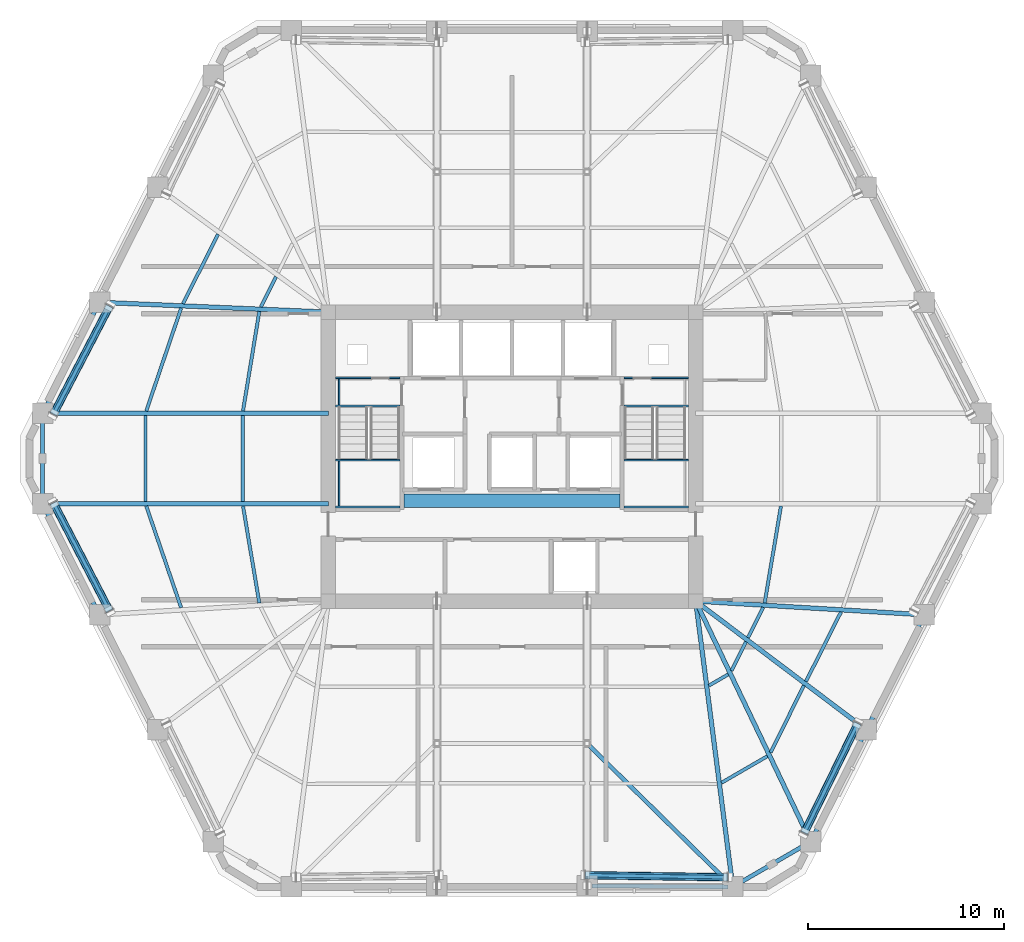
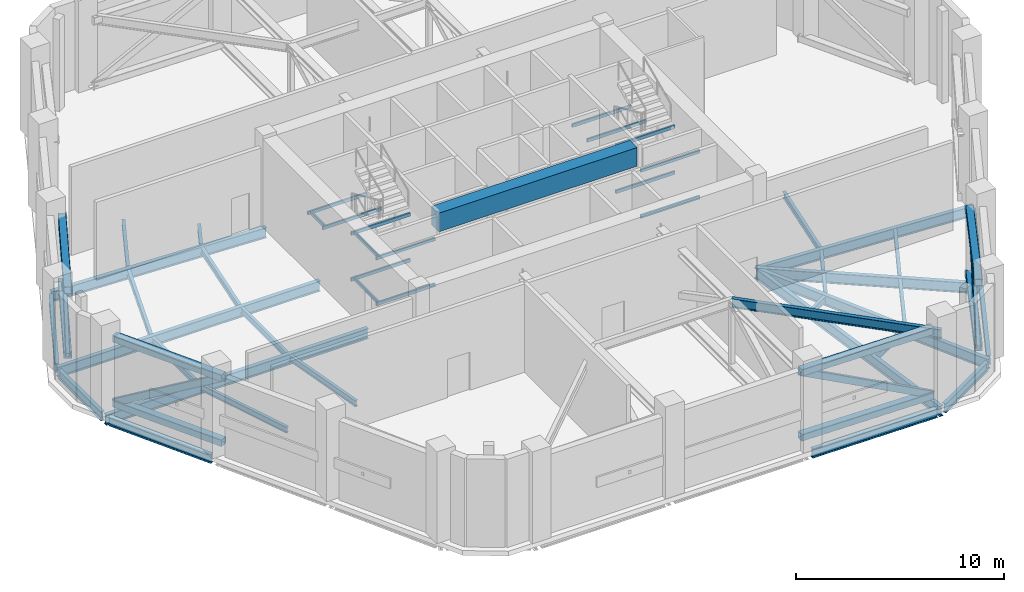
# One storey, part 3 of 15: 46 beams, 12 members.
"""IFC4 building model written with IfcOpenShell, lengths in metres."""

from ifc_helpers import new_model, si_unit, direction, frame, origin, origin_2d, place, context, subcontext, project, spatial, rectangle, hollow_rectangle, i_section, extrude, material, material_profile, profile_set, type_object, element, save


model = new_model("IFC4")

# Units and contexts
model_context = context("Model", 3, precision=1e-05, world=origin(), true_north=direction((0.0, 1.0)))
body_context = subcontext(model_context, "Body", "Model", "MODEL_VIEW")
ifc_project = project(units=[si_unit("LENGTHUNIT", "METRE"), si_unit("AREAUNIT", "SQUARE_METRE"), si_unit("VOLUMEUNIT", "CUBIC_METRE"), si_unit("PLANEANGLEUNIT", "RADIAN"), si_unit("MASSUNIT", "GRAM", prefix="KILO")], contexts=[model_context])

# Site, building, storey
site_placement = place(None, origin())
site = spatial("IfcSite", under=ifc_project, at=site_placement, CompositionType="ELEMENT")
building_placement = place(site_placement, origin())
building = spatial("IfcBuilding", under=site, at=building_placement, Name="Cinnabar Lancet Tower", CompositionType="ELEMENT")
storey_placement = place(building_placement, frame((0.0, 0.0, 148.10009765625)))
storey = spatial("IfcBuildingStorey", under=building, at=storey_placement, Name="L39", CompositionType="ELEMENT", Elevation=148.10009765625)

# Beams
ifc_material_1 = material(Name="Concrete C70/85", Category="concrete")
ifc_material_profile_1 = material_profile(ifc_material_1, rectangle(XDim=0.699951171875, YDim=1.10009765625, at=origin_2d()), Name="RC-CB 700x1100")
ifc_profile_set_1 = profile_set([ifc_material_profile_1], Name="Concrete C70/85")
beam_type_1 = type_object("IfcBeamType", Name="STR-BM-CB-1100", PredefinedType="BEAM", material=ifc_profile_set_1)
beam_1_placement = place(storey_placement, frame((26.8798828125, 23.64990234375, 4.639892578125), z_axis=(1.0, 0.0, 0.0), x_axis=(0.0, 1.0, 0.0)))
element("IfcBeam", 1, at=beam_1_placement, inside=storey, type_object=beam_type_1, Name="L39 Core Coupling Beam", PredefinedType="BEAM", context=body_context, shape_type="SweptSolid", body=[
    extrude(rectangle(XDim=0.699951171875, YDim=1.10009765625, at=origin_2d()), origin(), (0.0, 0.0, 1.0), 11.0400390625),
])
ifc_material_2 = material(Name="Structural steel S355", Category="steel")
ifc_material_profile_2 = material_profile(ifc_material_2, i_section(OverallWidth=0.17138671875, OverallDepth=0.35498046875, WebThickness=0.00732421875, FlangeThickness=0.011474609375, FilletRadius=0.01025390625, at=origin_2d()), Name="UKB 356x171x51")
ifc_profile_set_2 = profile_set([ifc_material_profile_2], Name="Structural steel S355")
beam_type_2 = type_object("IfcBeamType", Name="STR-BM-JST-356", PredefinedType="JOIST", material=ifc_profile_set_2)
beam_2_placement = place(storey_placement, frame((13.73193359375, 23.376953125, -0.4580078125), z_axis=(0.324639458548, -0.945837841257, 0.0), x_axis=(0.945837841257, 0.324639458548, 0.0)))
element("IfcBeam", 2, at=beam_2_placement, inside=storey, type_object=beam_type_2, Name="L39 Secondary Floor Joist 1", PredefinedType="JOIST", context=body_context, shape_type="SweptSolid", body=[
    extrude(i_section(OverallWidth=0.17138671875, OverallDepth=0.35498046875, WebThickness=0.00732421875, FlangeThickness=0.011474609375, FilletRadius=0.01025390625, at=origin_2d()), origin(), (0.0, 0.0, 1.0), 5.486083984375),
])
beam_3_placement = place(storey_placement, frame((18.669921875, 23.376953125, -0.4580078125), z_axis=(0.165984412241, -0.986128376477, 0.0), x_axis=(0.986128376477, 0.165984412241, 0.0)))
element("IfcBeam", 3, at=beam_3_placement, inside=storey, type_object=beam_type_2, Name="L39 Secondary Floor Joist 2", PredefinedType="JOIST", context=body_context, shape_type="SweptSolid", body=[
    extrude(i_section(OverallWidth=0.17138671875, OverallDepth=0.35498046875, WebThickness=0.00732421875, FlangeThickness=0.011474609375, FilletRadius=0.01025390625, at=origin_2d()), origin(), (0.0, 0.0, 1.0), 5.0185546875),
])
beam_4_placement = place(storey_placement, frame((43.093994140625, 9.251953125, -0.4580078125), z_axis=(0.865172906898, 0.501473669469, 0.0), x_axis=(-0.501473669469, 0.865172906898, 0.0)))
element("IfcBeam", 4, at=beam_4_placement, inside=storey, type_object=beam_type_2, Name="L39 Secondary Floor Joist 15", PredefinedType="JOIST", context=body_context, shape_type="SweptSolid", body=[
    extrude(i_section(OverallWidth=0.17138671875, OverallDepth=0.35498046875, WebThickness=0.00732421875, FlangeThickness=0.011474609375, FilletRadius=0.01025390625, at=origin_2d()), origin(), (0.0, 0.0, 1.0), 2.705810546875),
])
beam_5_placement = place(storey_placement, frame((42.449951171875, 14.2109375, -0.4580078125), z_axis=(0.865055308165, 0.501676503154, 0.0), x_axis=(-0.501676503154, 0.865055308165, 0.0)))
element("IfcBeam", 5, at=beam_5_placement, inside=storey, type_object=beam_type_2, Name="L39 Secondary Floor Joist 16", PredefinedType="JOIST", context=body_context, shape_type="SweptSolid", body=[
    extrude(i_section(OverallWidth=0.17138671875, OverallDepth=0.35498046875, WebThickness=0.00732421875, FlangeThickness=0.011474609375, FilletRadius=0.01025390625, at=origin_2d()), origin(), (0.0, 0.0, 1.0), 1.14208984375),
])
beam_6_placement = place(storey_placement, frame((45.59912109375, 10.7958984375, -0.4580078125), z_axis=(0.445295120803, 0.895383859241, 0.0), x_axis=(-0.895383859241, 0.445295120803, 0.0)))
element("IfcBeam", 6, at=beam_6_placement, inside=storey, type_object=beam_type_2, Name="L39 Secondary Floor Joist 17", PredefinedType="JOIST", context=body_context, shape_type="SweptSolid", body=[
    extrude(i_section(OverallWidth=0.17138671875, OverallDepth=0.35498046875, WebThickness=0.00732421875, FlangeThickness=0.011474609375, FilletRadius=0.01025390625, at=origin_2d()), origin(), (0.0, 0.0, 1.0), 3.81982421875),
])
beam_7_placement = place(storey_placement, frame((43.60205078125, 14.970947265625, -0.4580078125), z_axis=(0.44543923568, 0.895312173109, 0.0), x_axis=(-0.895312173109, 0.44543923568, 0.0)))
element("IfcBeam", 7, at=beam_7_placement, inside=storey, type_object=beam_type_2, Name="L39 Secondary Floor Joist 18", PredefinedType="JOIST", context=body_context, shape_type="SweptSolid", body=[
    extrude(i_section(OverallWidth=0.17138671875, OverallDepth=0.35498046875, WebThickness=0.00732421875, FlangeThickness=0.011474609375, FilletRadius=0.01025390625, at=origin_2d()), origin(), (0.0, 0.0, 1.0), 1.65185546875),
])
beam_8_placement = place(storey_placement, frame((47.404052734375, 14.424072265625, -0.4580078125), z_axis=(0.450706028652, 0.892672434736, 0.0), x_axis=(-0.892672434736, 0.450706028652, 0.0)))
element("IfcBeam", 8, at=beam_8_placement, inside=storey, type_object=beam_type_2, Name="L39 Secondary Floor Joist 19", PredefinedType="JOIST", context=body_context, shape_type="SweptSolid", body=[
    extrude(i_section(OverallWidth=0.17138671875, OverallDepth=0.35498046875, WebThickness=0.00732421875, FlangeThickness=0.011474609375, FilletRadius=0.01025390625, at=origin_2d()), origin(), (0.0, 0.0, 1.0), 3.966796875),
])
beam_9_placement = place(storey_placement, frame((44.44091796875, 16.657958984375, -0.4580078125), z_axis=(0.450874341268, 0.892587434589, 0.0), x_axis=(-0.892587434589, 0.450874341268, 0.0)))
element("IfcBeam", 9, at=beam_9_placement, inside=storey, type_object=beam_type_2, Name="L39 Secondary Floor Joist 20", PredefinedType="JOIST", context=body_context, shape_type="SweptSolid", body=[
    extrude(i_section(OverallWidth=0.17138671875, OverallDepth=0.35498046875, WebThickness=0.00732421875, FlangeThickness=0.011474609375, FilletRadius=0.01025390625, at=origin_2d()), origin(), (0.0, 0.0, 1.0), 1.732177734375),
])
beam_10_placement = place(storey_placement, frame((45.297119140625, 18.427978515625, -0.4580078125), z_axis=(0.165937104691, 0.986136338082, 0.0), x_axis=(-0.986136338082, 0.165937104691, 0.0)))
element("IfcBeam", 10, at=beam_10_placement, inside=storey, type_object=beam_type_2, Name="L39 Secondary Floor Joist 22", PredefinedType="JOIST", context=body_context, shape_type="SweptSolid", body=[
    extrude(i_section(OverallWidth=0.17138671875, OverallDepth=0.35498046875, WebThickness=0.00732421875, FlangeThickness=0.011474609375, FilletRadius=0.01025390625, at=origin_2d()), origin(), (0.0, 0.0, 1.0), 5.0185546875),
])
beam_11_placement = place(storey_placement, frame((17.39599609375, 37.2490234375, -0.4580078125), z_axis=(-0.450656035687, -0.892697674187, 0.0), x_axis=(0.892697674187, -0.450656035687, 0.0)))
element("IfcBeam", 11, at=beam_11_placement, inside=storey, type_object=beam_type_2, Name="L39 Secondary Floor Joist 43", PredefinedType="JOIST", context=body_context, shape_type="SweptSolid", body=[
    extrude(i_section(OverallWidth=0.17138671875, OverallDepth=0.35498046875, WebThickness=0.00732421875, FlangeThickness=0.011474609375, FilletRadius=0.01025390625, at=origin_2d()), origin(), (0.0, 0.0, 1.0), 3.9677734375),
])
beam_12_placement = place(storey_placement, frame((20.35888671875, 35.0830078125, -0.4580078125), z_axis=(-0.450931068976, -0.892558777354, 0.0), x_axis=(0.892558777354, -0.450931068976, 0.0)))
element("IfcBeam", 12, at=beam_12_placement, inside=storey, type_object=beam_type_2, Name="L39 Secondary Floor Joist 44", PredefinedType="JOIST", context=body_context, shape_type="SweptSolid", body=[
    extrude(i_section(OverallWidth=0.17138671875, OverallDepth=0.35498046875, WebThickness=0.00732421875, FlangeThickness=0.011474609375, FilletRadius=0.01025390625, at=origin_2d()), origin(), (0.0, 0.0, 1.0), 1.73193359375),
])
beam_13_placement = place(storey_placement, frame((15.513916015625, 33.48291015625, -0.4580078125), z_axis=(-0.321023911172, -0.947071089442, 0.0), x_axis=(0.947071089442, -0.321023911172, 0.0)))
element("IfcBeam", 13, at=beam_13_placement, inside=storey, type_object=beam_type_2, Name="L39 Secondary Floor Joist 45", PredefinedType="JOIST", context=body_context, shape_type="SweptSolid", body=[
    extrude(i_section(OverallWidth=0.17138671875, OverallDepth=0.35498046875, WebThickness=0.00732421875, FlangeThickness=0.011474609375, FilletRadius=0.01025390625, at=origin_2d()), origin(), (0.0, 0.0, 1.0), 5.553955078125),
])
beam_14_placement = place(storey_placement, frame((19.5029296875, 33.31201171875, -0.4580078125), z_axis=(-0.161719098977, -0.986836832017, 0.0), x_axis=(0.986836832017, -0.161719098977, 0.0)))
element("IfcBeam", 14, at=beam_14_placement, inside=storey, type_object=beam_type_2, Name="L39 Secondary Floor Joist 46", PredefinedType="JOIST", context=body_context, shape_type="SweptSolid", body=[
    extrude(i_section(OverallWidth=0.17138671875, OverallDepth=0.35498046875, WebThickness=0.00732421875, FlangeThickness=0.011474609375, FilletRadius=0.01025390625, at=origin_2d()), origin(), (0.0, 0.0, 1.0), 5.156982421875),
])
for number, where, z_axis, x_axis, name in (
    (15, (13.693115234375, 27.9951171875, -0.4580078125), (0.0, -1.0, 0.0), (1.0, 0.0, 0.0), "L39 Secondary Floor Joist 47"),
    (16, (18.64990234375, 27.9951171875, -0.4580078125), (0.0, -1.0, 0.0), (1.0, 0.0, 0.0), "L39 Secondary Floor Joist 48"),
):
    element("IfcBeam", number, at=place(storey_placement, frame(where, z_axis=z_axis, x_axis=x_axis)), inside=storey, type_object=beam_type_2, Name=name, PredefinedType="JOIST", context=body_context, shape_type="SweptSolid", body=[
        extrude(i_section(OverallWidth=0.17138671875, OverallDepth=0.35498046875, WebThickness=0.00732421875, FlangeThickness=0.011474609375, FilletRadius=0.01025390625, at=origin_2d()), origin(), (0.0, 0.0, 1.0), 4.39013671875),
    ])
ifc_material_3 = material(Name="Structural steel S355", Category="steel")
ifc_material_profile_3 = material_profile(ifc_material_3, hollow_rectangle(XDim=0.10009765625, YDim=0.199951171875, WallThickness=0.008056640625, InnerFilletRadius=0.00390625, OuterFilletRadius=0.011962890625, at=origin_2d()), Name="RHS 200x100x8")
ifc_profile_set_3 = profile_set([ifc_material_profile_3], Name="Structural steel S355")
beam_type_3 = type_object("IfcBeamType", Name="STR-BM-LND-203", PredefinedType="BEAM", material=ifc_profile_set_3)
for number, where, z_axis, x_axis, name in (
    (17, (23.39990234375, 23.330078125, 1.0498046875), (1.0, 0.0, 0.0), (0.0, 1.0, 0.0), "L39 ST-1-L39 Landing Support Beam S"),
    (18, (23.39990234375, 25.719970703125, 1.0498046875), (1.0, 0.0, 0.0), (0.0, 1.0, 0.0), "L39 ST-1-L39 Landing Support Beam N"),
):
    element("IfcBeam", number, at=place(storey_placement, frame(where, z_axis=z_axis, x_axis=x_axis)), inside=storey, type_object=beam_type_3, Name=name, PredefinedType="BEAM", context=body_context, shape_type="SweptSolid", body=[
        extrude(hollow_rectangle(XDim=0.10009765625, YDim=0.199951171875, WallThickness=0.008056640625, InnerFilletRadius=0.00390625, OuterFilletRadius=0.011962890625, at=origin_2d()), origin(), (0.0, 0.0, 1.0), 3.280029296875),
    ])
beam_15_placement = place(storey_placement, frame((23.580078125, 23.3798828125, 1.0498046875), z_axis=(0.0, 1.0, 0.0), x_axis=(-1.0, 0.0, 0.0)))
element("IfcBeam", 19, at=beam_15_placement, inside=storey, type_object=beam_type_3, Name="L39 ST-1-L39 Landing Side Trimmer Beam", PredefinedType="BEAM", context=body_context, shape_type="SweptSolid", body=[
    extrude(hollow_rectangle(XDim=0.10009765625, YDim=0.199951171875, WallThickness=0.008056640625, InnerFilletRadius=0.00390625, OuterFilletRadius=0.011962890625, at=origin_2d()), origin(), (0.0, 0.0, 1.0), 2.2900390625),
])
for number, where, z_axis, x_axis, name in (
    (20, (23.39990234375, 28.47998046875, 2.39990234375), (1.0, 0.0, 0.0), (0.0, 1.0, 0.0), "L39 ST-1-L39 Landing Support Beam S"),
    (21, (23.39990234375, 29.919921875, 2.39990234375), (1.0, 0.0, 0.0), (0.0, 1.0, 0.0), "L39 ST-1-L39 Landing Support Beam N"),
):
    element("IfcBeam", number, at=place(storey_placement, frame(where, z_axis=z_axis, x_axis=x_axis)), inside=storey, type_object=beam_type_3, Name=name, PredefinedType="BEAM", context=body_context, shape_type="SweptSolid", body=[
        extrude(hollow_rectangle(XDim=0.10009765625, YDim=0.199951171875, WallThickness=0.008056640625, InnerFilletRadius=0.00390625, OuterFilletRadius=0.011962890625, at=origin_2d()), origin(), (0.0, 0.0, 1.0), 3.280029296875),
    ])
beam_16_placement = place(storey_placement, frame((23.580078125, 28.530029296875, 2.39990234375), z_axis=(0.0, 1.0, 0.0), x_axis=(-1.0, 0.0, 0.0)))
element("IfcBeam", 22, at=beam_16_placement, inside=storey, type_object=beam_type_3, Name="L39 ST-1-L39 Landing Side Trimmer Beam", PredefinedType="BEAM", context=body_context, shape_type="SweptSolid", body=[
    extrude(hollow_rectangle(XDim=0.10009765625, YDim=0.199951171875, WallThickness=0.008056640625, InnerFilletRadius=0.00390625, OuterFilletRadius=0.011962890625, at=origin_2d()), origin(), (0.0, 0.0, 1.0), 1.340087890625),
])
for number, where, z_axis, x_axis, name in (
    (23, (23.39990234375, 23.330078125, 3.75), (1.0, 0.0, 0.0), (0.0, 1.0, 0.0), "L39 ST-1-L39 Landing Support Beam S"),
    (24, (23.39990234375, 25.719970703125, 3.75), (1.0, 0.0, 0.0), (0.0, 1.0, 0.0), "L39 ST-1-L39 Landing Support Beam N"),
):
    element("IfcBeam", number, at=place(storey_placement, frame(where, z_axis=z_axis, x_axis=x_axis)), inside=storey, type_object=beam_type_3, Name=name, PredefinedType="BEAM", context=body_context, shape_type="SweptSolid", body=[
        extrude(hollow_rectangle(XDim=0.10009765625, YDim=0.199951171875, WallThickness=0.008056640625, InnerFilletRadius=0.00390625, OuterFilletRadius=0.011962890625, at=origin_2d()), origin(), (0.0, 0.0, 1.0), 3.280029296875),
    ])
beam_17_placement = place(storey_placement, frame((23.580078125, 23.3798828125, 3.75), z_axis=(0.0, 1.0, 0.0), x_axis=(-1.0, 0.0, 0.0)))
element("IfcBeam", 25, at=beam_17_placement, inside=storey, type_object=beam_type_3, Name="L39 ST-1-L39 Landing Side Trimmer Beam", PredefinedType="BEAM", context=body_context, shape_type="SweptSolid", body=[
    extrude(hollow_rectangle(XDim=0.10009765625, YDim=0.199951171875, WallThickness=0.008056640625, InnerFilletRadius=0.00390625, OuterFilletRadius=0.011962890625, at=origin_2d()), origin(), (0.0, 0.0, 1.0), 2.2900390625),
])
for number, where, z_axis, x_axis, name in (
    (26, (38.1201171875, 23.330078125, 1.0498046875), (1.0, 0.0, 0.0), (0.0, 1.0, 0.0), "L39 ST-2-L39 Landing Support Beam S"),
    (27, (38.1201171875, 25.719970703125, 1.0498046875), (1.0, 0.0, 0.0), (0.0, 1.0, 0.0), "L39 ST-2-L39 Landing Support Beam N"),
    (28, (38.1201171875, 28.47998046875, 2.39990234375), (1.0, 0.0, 0.0), (0.0, 1.0, 0.0), "L39 ST-2-L39 Landing Support Beam S"),
    (29, (38.1201171875, 29.919921875, 2.39990234375), (1.0, 0.0, 0.0), (0.0, 1.0, 0.0), "L39 ST-2-L39 Landing Support Beam N"),
    (30, (38.1201171875, 23.330078125, 3.75), (1.0, 0.0, 0.0), (0.0, 1.0, 0.0), "L39 ST-2-L39 Landing Support Beam S"),
    (31, (38.1201171875, 25.719970703125, 3.75), (1.0, 0.0, 0.0), (0.0, 1.0, 0.0), "L39 ST-2-L39 Landing Support Beam N"),
):
    element("IfcBeam", number, at=place(storey_placement, frame(where, z_axis=z_axis, x_axis=x_axis)), inside=storey, type_object=beam_type_3, Name=name, PredefinedType="BEAM", context=body_context, shape_type="SweptSolid", body=[
        extrude(hollow_rectangle(XDim=0.10009765625, YDim=0.199951171875, WallThickness=0.008056640625, InnerFilletRadius=0.00390625, OuterFilletRadius=0.011962890625, at=origin_2d()), origin(), (0.0, 0.0, 1.0), 3.27978515625),
    ])
ifc_material_4 = material(Name="Structural steel S355", Category="steel")
ifc_material_profile_4 = material_profile(ifc_material_4, i_section(OverallWidth=0.209228515625, OverallDepth=0.533203125, WebThickness=0.010009765625, FlangeThickness=0.015625, FilletRadius=0.0126953125, at=origin_2d()), Name="UKB 533x210x92")
ifc_profile_set_4 = profile_set([ifc_material_profile_4], Name="Structural steel S355")
beam_type_4 = type_object("IfcBeamType", Name="STR-BM-SPN-533", PredefinedType="SPANDREL", material=ifc_profile_set_4)
beam_18_placement = place(storey_placement, frame((36.48193359375, 3.989990234375, -0.547119140625), z_axis=(0.999974980359, -0.007073800628, 0.0), x_axis=(0.007073800628, 0.999974980359, 0.0)))
element("IfcBeam", 32, at=beam_18_placement, inside=storey, type_object=beam_type_4, Name="L39 Perimeter Spandrel 3", PredefinedType="SPANDREL", context=body_context, shape_type="SweptSolid", body=[
    extrude(i_section(OverallWidth=0.209228515625, OverallDepth=0.533203125, WebThickness=0.010009765625, FlangeThickness=0.015625, FilletRadius=0.0126953125, at=origin_2d()), origin(), (0.0, 0.0, 1.0), 6.937255859375),
])
beam_19_placement = place(storey_placement, frame((43.885009765625, 4.06396484375, -0.547119140625), z_axis=(0.865112299906, 0.501578217781, 0.0), x_axis=(-0.501578217781, 0.865112299906, 0.0)))
element("IfcBeam", 33, at=beam_19_placement, inside=storey, type_object=beam_type_4, Name="L39 Perimeter Spandrel 4", PredefinedType="SPANDREL", context=body_context, shape_type="SweptSolid", body=[
    extrude(i_section(OverallWidth=0.209228515625, OverallDepth=0.533203125, WebThickness=0.010009765625, FlangeThickness=0.015625, FilletRadius=0.0126953125, at=origin_2d()), origin(), (0.0, 0.0, 1.0), 4.101318359375),
])
beam_20_placement = place(storey_placement, frame((47.760009765625, 6.469970703125, -0.547119140625), z_axis=(0.445501068635, 0.89528140707, 0.0), x_axis=(-0.89528140707, 0.445501068635, 0.0)))
element("IfcBeam", 34, at=beam_20_placement, inside=storey, type_object=beam_type_4, Name="L39 Perimeter Spandrel 5", PredefinedType="SPANDREL", context=body_context, shape_type="SweptSolid", body=[
    extrude(i_section(OverallWidth=0.209228515625, OverallDepth=0.533203125, WebThickness=0.010009765625, FlangeThickness=0.015625, FilletRadius=0.0126953125, at=origin_2d()), origin(), (0.0, 0.0, 1.0), 5.87646484375),
])
beam_21_placement = place(storey_placement, frame((50.60205078125, 12.177978515625, -0.547119140625), z_axis=(0.450570325924, 0.892740937449, 0.0), x_axis=(-0.892740937449, 0.450570325924, 0.0)))
element("IfcBeam", 35, at=beam_21_placement, inside=storey, type_object=beam_type_4, Name="L39 Perimeter Spandrel 6", PredefinedType="SPANDREL", context=body_context, shape_type="SweptSolid", body=[
    extrude(i_section(OverallWidth=0.209228515625, OverallDepth=0.533203125, WebThickness=0.010009765625, FlangeThickness=0.015625, FilletRadius=0.0126953125, at=origin_2d()), origin(), (0.0, 0.0, 1.0), 6.07470703125),
])
beam_22_placement = place(storey_placement, frame((11.23388671875, 33.553955078125, -0.547119140625), z_axis=(-0.456126618405, -0.889914888055, 0.0), x_axis=(0.889914888055, -0.456126618405, 0.0)))
element("IfcBeam", 36, at=beam_22_placement, inside=storey, type_object=beam_type_4, Name="L39 Perimeter Spandrel 19", PredefinedType="SPANDREL", context=body_context, shape_type="SweptSolid", body=[
    extrude(i_section(OverallWidth=0.209228515625, OverallDepth=0.533203125, WebThickness=0.010009765625, FlangeThickness=0.015625, FilletRadius=0.0126953125, at=origin_2d()), origin(), (0.0, 0.0, 1.0), 5.868896484375),
])
beam_23_placement = place(storey_placement, frame((8.443115234375, 27.85888671875, -0.547119140625), z_axis=(0.0, -1.0, 0.0), x_axis=(1.0, 0.0, 0.0)))
element("IfcBeam", 37, at=beam_23_placement, inside=storey, type_object=beam_type_4, Name="L39 Perimeter Spandrel 20", PredefinedType="SPANDREL", context=body_context, shape_type="SweptSolid", body=[
    extrude(i_section(OverallWidth=0.209228515625, OverallDepth=0.533203125, WebThickness=0.010009765625, FlangeThickness=0.015625, FilletRadius=0.0126953125, at=origin_2d()), origin(), (0.0, 0.0, 1.0), 4.117919921875),
])
beam_24_placement = place(storey_placement, frame((8.556884765625, 23.26904296875, -0.547119140625), z_axis=(0.456109733574, -0.889923542187, 0.0), x_axis=(0.889923542187, 0.456109733574, 0.0)))
element("IfcBeam", 38, at=beam_24_placement, inside=storey, type_object=beam_type_4, Name="L39 Perimeter Spandrel 21", PredefinedType="SPANDREL", context=body_context, shape_type="SweptSolid", body=[
    extrude(i_section(OverallWidth=0.209228515625, OverallDepth=0.533203125, WebThickness=0.010009765625, FlangeThickness=0.015625, FilletRadius=0.0126953125, at=origin_2d()), origin(), (0.0, 0.0, 1.0), 5.869140625),
])
ifc_material_5 = material(Name="Structural steel S355", Category="steel")
ifc_material_profile_5 = material_profile(ifc_material_5, i_section(OverallWidth=0.209228515625, OverallDepth=0.533203125, WebThickness=0.010009765625, FlangeThickness=0.015625, FilletRadius=0.0126953125, at=origin_2d()), Name="UKB 533x210x92")
ifc_profile_set_5 = profile_set([ifc_material_profile_5], Name="Structural steel S355")
beam_type_5 = type_object("IfcBeamType", Name="STR-BM-UKB533-92", PredefinedType="BEAM", material=ifc_profile_set_5)
beam_25_placement = place(storey_placement, frame((36.23193359375, 11.258056640625, 3.992919921875), z_axis=(0.712734700934, -0.701433707548, 0.0), x_axis=(0.701433707548, 0.712734700934, 0.0)))
element("IfcBeam", 39, at=beam_25_placement, inside=storey, type_object=beam_type_5, Name="L39 Outrigger S Tie Beam 3", PredefinedType="BEAM", context=body_context, shape_type="SweptSolid", body=[
    extrude(i_section(OverallWidth=0.209228515625, OverallDepth=0.533203125, WebThickness=0.010009765625, FlangeThickness=0.015625, FilletRadius=0.0126953125, at=origin_2d()), origin(), (0.0, 0.0, 1.0), 10.4345703125),
])
ifc_material_6 = material(Name="Structural steel S355", Category="steel")
ifc_material_profile_6 = material_profile(ifc_material_6, i_section(OverallWidth=0.228271484375, OverallDepth=0.607666015625, WebThickness=0.010986328125, FlangeThickness=0.017333984375, FilletRadius=0.0126953125, at=origin_2d()), Name="UKB 610x229x113")
ifc_profile_set_6 = profile_set([ifc_material_profile_6], Name="Structural steel S355")
beam_type_6 = type_object("IfcBeamType", Name="STR-BM-UKB610-113", PredefinedType="BEAM", material=ifc_profile_set_6)
beam_26_placement = place(storey_placement, frame((50.489013671875, 11.955078125, -0.583984375), z_axis=(-0.798491457835, 0.602006139308, 0.0), x_axis=(-0.602006139308, -0.798491457835, 0.0)))
element("IfcBeam", 40, at=beam_26_placement, inside=storey, type_object=beam_type_6, Name="L39 Corner Collector Girder 2", PredefinedType="BEAM", context=body_context, shape_type="SweptSolid", body=[
    extrude(i_section(OverallWidth=0.228271484375, OverallDepth=0.607666015625, WebThickness=0.010986328125, FlangeThickness=0.017333984375, FilletRadius=0.0126953125, at=origin_2d()), origin(), (0.0, 0.0, 1.0), 10.913330078125),
])
beam_27_placement = place(storey_placement, frame((43.6689453125, 3.93896484375, -0.583984375), z_axis=(-0.12877289353, 0.99167411073, 0.0), x_axis=(-0.99167411073, -0.12877289353, 0.0)))
element("IfcBeam", 41, at=beam_27_placement, inside=storey, type_object=beam_type_6, Name="L39 Primary Floor Girder 4", PredefinedType="BEAM", context=body_context, shape_type="SweptSolid", body=[
    extrude(i_section(OverallWidth=0.228271484375, OverallDepth=0.607666015625, WebThickness=0.010986328125, FlangeThickness=0.017333984375, FilletRadius=0.0126953125, at=origin_2d()), origin(), (0.0, 0.0, 1.0), 14.70849609375),
])
beam_28_placement = place(storey_placement, frame((47.64892578125, 6.24609375, -0.583984375), z_axis=(-0.431548156881, 0.902089900339, 0.0), x_axis=(-0.902089900339, -0.431548156881, 0.0)))
element("IfcBeam", 42, at=beam_28_placement, inside=storey, type_object=beam_type_6, Name="L39 Primary Floor Girder 5", PredefinedType="BEAM", context=body_context, shape_type="SweptSolid", body=[
    extrude(i_section(OverallWidth=0.228271484375, OverallDepth=0.607666015625, WebThickness=0.010986328125, FlangeThickness=0.017333984375, FilletRadius=0.0126953125, at=origin_2d()), origin(), (0.0, 0.0, 1.0), 13.611572265625),
])
beam_29_placement = place(storey_placement, frame((53.451904296875, 17.823974609375, -0.583984375), z_axis=(-0.998203272991, 0.059918492897, 0.0), x_axis=(-0.059918492897, -0.998203272991, 0.0)))
element("IfcBeam", 43, at=beam_29_placement, inside=storey, type_object=beam_type_6, Name="L39 Primary Floor Girder 7", PredefinedType="BEAM", context=body_context, shape_type="SweptSolid", body=[
    extrude(i_section(OverallWidth=0.228271484375, OverallDepth=0.607666015625, WebThickness=0.010986328125, FlangeThickness=0.017333984375, FilletRadius=0.0126953125, at=origin_2d()), origin(), (0.0, 0.0, 1.0), 11.697998046875),
])
beam_30_placement = place(storey_placement, frame((11.347900390625, 33.77587890625, -0.583984375), z_axis=(0.999080941658, -0.042863411158, 0.0), x_axis=(0.042863411158, 0.999080941658, 0.0)))
element("IfcBeam", 44, at=beam_30_placement, inside=storey, type_object=beam_type_6, Name="L39 Primary Floor Girder 19", PredefinedType="BEAM", context=body_context, shape_type="SweptSolid", body=[
    extrude(i_section(OverallWidth=0.228271484375, OverallDepth=0.607666015625, WebThickness=0.010986328125, FlangeThickness=0.017333984375, FilletRadius=0.0126953125, at=origin_2d()), origin(), (0.0, 0.0, 1.0), 11.687744140625),
])
for number, where, z_axis, x_axis, name in (
    (45, (8.443115234375, 28.10888671875, -0.583984375), (1.0, 0.0, 0.0), (0.0, 1.0, 0.0), "L39 Primary Floor Girder 20"),
    (46, (8.443115234375, 23.490966796875, -0.583984375), (1.0, 0.0, 0.0), (0.0, 1.0, 0.0), "L39 Primary Floor Girder 21"),
):
    element("IfcBeam", number, at=place(storey_placement, frame(where, z_axis=z_axis, x_axis=x_axis)), inside=storey, type_object=beam_type_6, Name=name, PredefinedType="BEAM", context=body_context, shape_type="SweptSolid", body=[
        extrude(i_section(OverallWidth=0.228271484375, OverallDepth=0.607666015625, WebThickness=0.010986328125, FlangeThickness=0.017333984375, FilletRadius=0.0126953125, at=origin_2d()), origin(), (0.0, 0.0, 1.0), 14.581787109375),
    ])

# Members
ifc_material_7 = material(Name="Structural steel S460", Category="steel")
ifc_material_profile_7 = material_profile(ifc_material_7, hollow_rectangle(XDim=0.199951171875, YDim=0.39990234375, WallThickness=0.01611328125, InnerFilletRadius=0.008056640625, OuterFilletRadius=0.02392578125, at=origin_2d()), Name="RHS 400x200x16")
ifc_profile_set_7 = profile_set([ifc_material_profile_7], Name="Structural steel S460")
member_type_1 = type_object("IfcMemberType", Name="STR-MEM-BT-BRC400", PredefinedType="BRACE", material=ifc_profile_set_7)
member_1_placement = place(storey_placement, frame((36.136962890625, 4.533935546875, 4.039794921875), z_axis=(0.885434035283, -0.012887030796, -0.46458636829), x_axis=(0.014552937375, 0.9998941004, 0.0)))
element("IfcMember", 47, at=member_1_placement, inside=storey, type_object=member_type_1, Name="L39 Belt Truss Face 1 Diagonal", PredefinedType="BRACE", context=body_context, shape_type="SweptSolid", body=[
    extrude(hollow_rectangle(XDim=0.199951171875, YDim=0.39990234375, WallThickness=0.01611328125, InnerFilletRadius=0.008056640625, OuterFilletRadius=0.02392578125, at=origin_2d()), origin(), (0.0, 0.0, 1.0), 8.221923828125),
])
member_2_placement = place(storey_placement, frame((47.31103515625, 6.679931640625, 0.219970703125), z_axis=(0.374505266708, 0.76638981942, 0.521912300964), x_axis=(-0.898464927325, 0.439045298763, 0.0)))
element("IfcMember", 48, at=member_2_placement, inside=storey, type_object=member_type_1, Name="L39 Belt Truss Face 2 Diagonal", PredefinedType="BRACE", context=body_context, shape_type="SweptSolid", body=[
    extrude(hollow_rectangle(XDim=0.199951171875, YDim=0.39990234375, WallThickness=0.01611328125, InnerFilletRadius=0.008056640625, OuterFilletRadius=0.02392578125, at=origin_2d()), origin(), (0.0, 0.0, 1.0), 7.31884765625),
])
for number, where, z_axis, x_axis, name in (
    (49, (11.862060546875, 33.5810546875, 4.039794921875), (-0.393150029307, -0.756322535978, -0.522885528608), (0.887282909931, -0.461225582274, 0.0), "L39 Belt Truss Face 5 Diagonal"),
    (50, (8.989990234375, 23.5439453125, 0.219970703125), (0.39315996677, -0.756308232574, 0.522898745332), (0.887274569129, 0.46124162754, 0.0), "L39 Belt Truss Face 6 Diagonal"),
):
    element("IfcMember", number, at=place(storey_placement, frame(where, z_axis=z_axis, x_axis=x_axis)), inside=storey, type_object=member_type_1, Name=name, PredefinedType="BRACE", context=body_context, shape_type="SweptSolid", body=[
        extrude(hollow_rectangle(XDim=0.199951171875, YDim=0.39990234375, WallThickness=0.01611328125, InnerFilletRadius=0.008056640625, OuterFilletRadius=0.02392578125, at=origin_2d()), origin(), (0.0, 0.0, 1.0), 7.30517578125),
    ])
ifc_material_8 = material(Name="Structural steel S460", Category="steel")
ifc_material_profile_8 = material_profile(ifc_material_8, hollow_rectangle(XDim=0.39990234375, YDim=0.39990234375, WallThickness=0.02001953125, InnerFilletRadius=0.010009765625, OuterFilletRadius=0.030029296875, at=origin_2d()), Name="SHS 400x400x20")
ifc_profile_set_8 = profile_set([ifc_material_profile_8], Name="Structural steel S460")
member_type_2 = type_object("IfcMemberType", Name="STR-MEM-BT-CHD400", PredefinedType="CHORD", material=ifc_profile_set_8)
for number, where, z_axis, x_axis, name in (
    (51, (36.136962890625, 4.533935546875, 0.219970703125), (0.9998941004, -0.014552937375, 0.0), (0.014552937375, 0.9998941004, 0.0), "L39 Belt Truss Face 1 Chord BC"),
    (52, (36.136962890625, 4.533935546875, 4.039794921875), (0.9998941004, -0.014552937375, 0.0), (0.014552937375, 0.9998941004, 0.0), "L39 Belt Truss Face 1 Chord TC"),
):
    element("IfcMember", number, at=place(storey_placement, frame(where, z_axis=z_axis, x_axis=x_axis)), inside=storey, type_object=member_type_2, Name=name, PredefinedType="CHORD", context=body_context, shape_type="SweptSolid", body=[
        extrude(hollow_rectangle(XDim=0.39990234375, YDim=0.39990234375, WallThickness=0.02001953125, InnerFilletRadius=0.010009765625, OuterFilletRadius=0.030029296875, at=origin_2d()), origin(), (0.0, 0.0, 1.0), 7.28076171875),
    ])
for number, where, z_axis, x_axis, name in (
    (53, (47.31103515625, 6.679931640625, 0.219970703125), (0.439045298763, 0.898464927325, 0.0), (-0.898464927325, 0.439045298763, 0.0), "L39 Belt Truss Face 2 Chord BC"),
    (54, (47.31103515625, 6.679931640625, 4.039794921875), (0.439045298763, 0.898464927325, 0.0), (-0.898464927325, 0.439045298763, 0.0), "L39 Belt Truss Face 2 Chord TC"),
):
    element("IfcMember", number, at=place(storey_placement, frame(where, z_axis=z_axis, x_axis=x_axis)), inside=storey, type_object=member_type_2, Name=name, PredefinedType="CHORD", context=body_context, shape_type="SweptSolid", body=[
        extrude(hollow_rectangle(XDim=0.39990234375, YDim=0.39990234375, WallThickness=0.02001953125, InnerFilletRadius=0.010009765625, OuterFilletRadius=0.030029296875, at=origin_2d()), origin(), (0.0, 0.0, 1.0), 6.242919921875),
    ])
for number, where, z_axis, x_axis, name in (
    (55, (11.862060546875, 33.5810546875, 0.219970703125), (-0.461225582274, -0.887282909931, 0.0), (0.887282909931, -0.461225582274, 0.0), "L39 Belt Truss Face 5 Chord BC"),
    (56, (11.862060546875, 33.5810546875, 4.039794921875), (-0.461225582274, -0.887282909931, 0.0), (0.887282909931, -0.461225582274, 0.0), "L39 Belt Truss Face 5 Chord TC"),
):
    element("IfcMember", number, at=place(storey_placement, frame(where, z_axis=z_axis, x_axis=x_axis)), inside=storey, type_object=member_type_2, Name=name, PredefinedType="CHORD", context=body_context, shape_type="SweptSolid", body=[
        extrude(hollow_rectangle(XDim=0.39990234375, YDim=0.39990234375, WallThickness=0.02001953125, InnerFilletRadius=0.010009765625, OuterFilletRadius=0.030029296875, at=origin_2d()), origin(), (0.0, 0.0, 1.0), 6.22705078125),
    ])
for number, where, z_axis, x_axis, name in (
    (57, (8.989990234375, 23.5439453125, 0.219970703125), (0.46124162754, -0.887274569129, 0.0), (0.887274569129, 0.46124162754, 0.0), "L39 Belt Truss Face 6 Chord BC"),
    (58, (8.989990234375, 23.5439453125, 4.039794921875), (0.46124162754, -0.887274569129, 0.0), (0.887274569129, 0.46124162754, 0.0), "L39 Belt Truss Face 6 Chord TC"),
):
    element("IfcMember", number, at=place(storey_placement, frame(where, z_axis=z_axis, x_axis=x_axis)), inside=storey, type_object=member_type_2, Name=name, PredefinedType="CHORD", context=body_context, shape_type="SweptSolid", body=[
        extrude(hollow_rectangle(XDim=0.39990234375, YDim=0.39990234375, WallThickness=0.02001953125, InnerFilletRadius=0.010009765625, OuterFilletRadius=0.030029296875, at=origin_2d()), origin(), (0.0, 0.0, 1.0), 6.226806640625),
    ])

save(model, "model.ifc")
